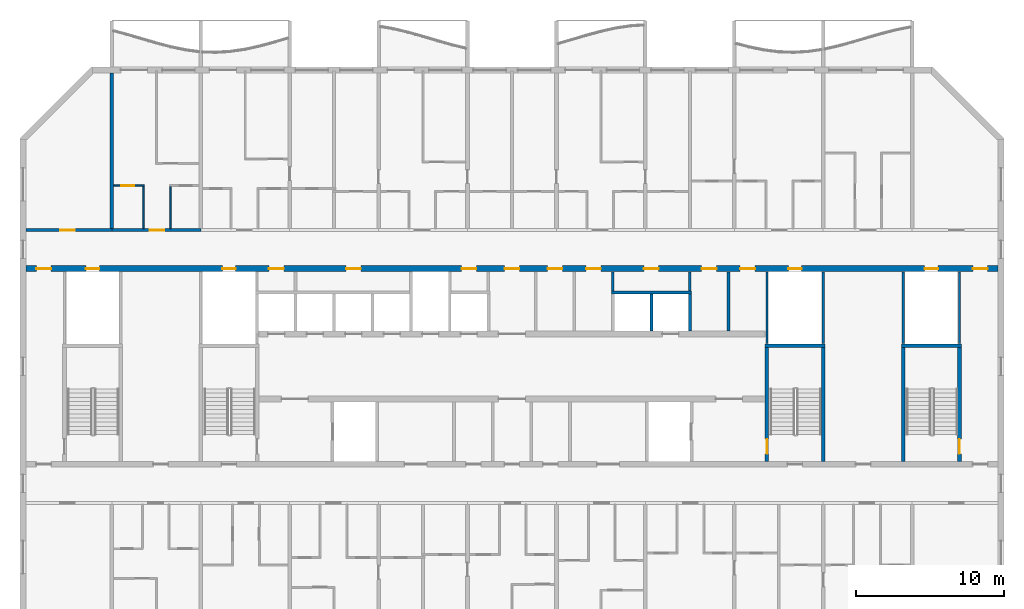
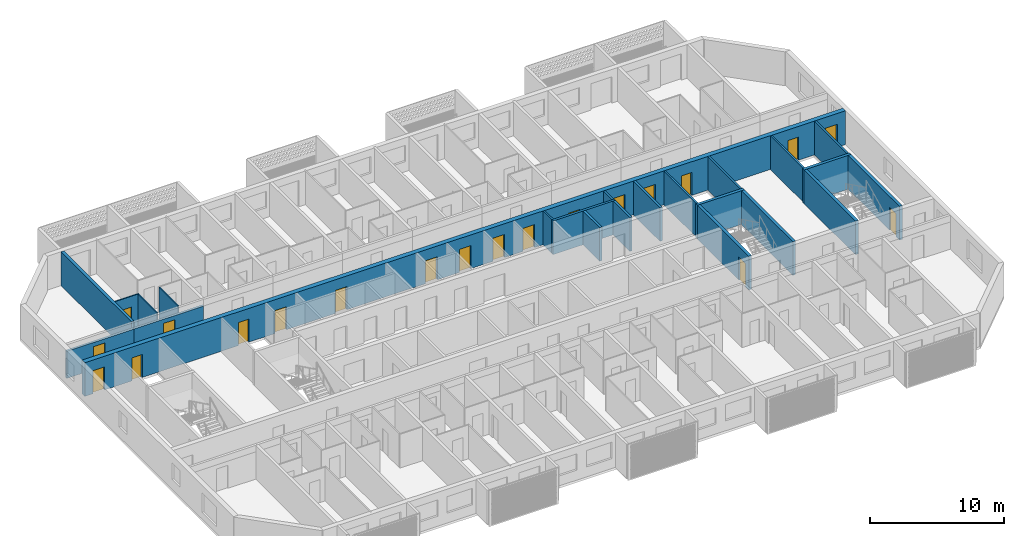
# One storey, part 7 of 27: 23 walls, 20 doors, 20 openings.
"""IFC4 building model written with IfcOpenShell, lengths in metres."""

from ifc_helpers import new_model, si_unit, direction, frame, frame_2d, origin, place, context, subcontext, project, spatial, rectangle, extrude, material, layer, layer_set, type_object, element, fill, save


model = new_model("IFC4")

# Units and contexts
model_context = context("Model", 3, precision=1e-05, world=origin(), true_north=direction((0.0, 1.0)))
body_context = subcontext(model_context, "Body", "Model", "MODEL_VIEW")
ifc_project = project(units=[si_unit("LENGTHUNIT", "METRE"), si_unit("AREAUNIT", "SQUARE_METRE"), si_unit("VOLUMEUNIT", "CUBIC_METRE"), si_unit("PLANEANGLEUNIT", "RADIAN"), si_unit("MASSUNIT", "GRAM", prefix="KILO")], contexts=[model_context])

# Site, building, storey
site_placement = place(None, origin())
site = spatial("IfcSite", under=ifc_project, at=site_placement, CompositionType="ELEMENT")
building_placement = place(site_placement, origin())
building = spatial("IfcBuilding", under=site, at=building_placement, Name="Poui Terraces", CompositionType="ELEMENT")
storey_placement = place(building_placement, frame((0.0, 0.0, 191.699951171875)))
storey = spatial("IfcBuildingStorey", under=building, at=storey_placement, Name="L53", CompositionType="ELEMENT", Elevation=191.699951171875)

# Wall, opening, door
ifc_material_1 = material(Name="Concrete 50 MPa", Category="concrete")
ifc_layer_1 = layer(ifc_material_1, 0.199951171875)
ifc_layer_set_1 = layer_set([ifc_layer_1], Name="Concrete 50 MPa")
wall_type_1 = type_object("IfcWallType", Name="CORRIDOR WALL 200 50MPa", PredefinedType="SHEAR", material=ifc_layer_set_1)
wall_1_placement = place(storey_placement, frame((18.199951171875, 30.39990234375, 0.0), z_axis=(0.0, 0.0, 1.0), x_axis=(1.0, 0.0, 0.0)))
wall_1 = element("IfcWall", 1, at=wall_1_placement, inside=storey, type_object=wall_type_1, Name="CORRIDOR WALL LINE E BAY 1", PredefinedType="SHEAR", context=body_context, shape_type="SweptSolid", body=[
    extrude(rectangle(XDim=5.800048828125, YDim=0.199951171875, at=frame_2d((2.89990234375, 0.0))), origin(), (0.0, 0.0, 1.0), 2.47998046875),
])
opening_1_placement = place(wall_1_placement, frame((2.300048828125, 0.0, 0.0)))
opening_1 = element("IfcOpeningElement", 2, at=opening_1_placement, cuts=wall_1, Name="Opening D100", PredefinedType="OPENING", context=body_context, shape_type="SweptSolid", body=[
    extrude(rectangle(XDim=1.0, YDim=2.10009765625, at=frame_2d((0.5, 1.050048828125))), frame((0.0, 0.10986328125, 0.0), z_axis=(0.0, -1.0, 0.0), x_axis=(1.0, 0.0, 0.0)), (0.0, 0.0, 1.0), 0.219970703125),
])
ifc_material_2 = material(Name="Solid core timber door", Category="wood")
door_type_1 = type_object("IfcDoorType", Name="ACCESSIBLE INTERNAL DOOR 1000 X 2100", OperationType="NOTDEFINED", PredefinedType="DOOR", material=ifc_material_2)
door_1_placement = place(opening_1_placement, origin())
door_1 = element("IfcDoor", 3, at=door_1_placement, inside=storey, type_object=door_type_1, Name="ACCESSIBLE INTERNAL DOOR 027", OperationType="SINGLE_SWING_LEFT", OverallHeight=2.10009765625, OverallWidth=1.0, PredefinedType="DOOR", context=body_context, shape_type="SweptSolid", body=[
    extrude(rectangle(XDim=1.0, YDim=2.10009765625, at=frame_2d((0.5, 1.050048828125))), frame((0.0, 0.02490234375, 0.0), z_axis=(0.0, -1.0, 0.0), x_axis=(1.0, 0.0, 0.0)), (0.0, 0.0, 1.0), 0.050048828125),
])
fill(opening_1, door_1)

wall_2_placement = place(storey_placement, frame((24.0, 30.39990234375, 0.0), z_axis=(0.0, 0.0, 1.0), x_axis=(1.0, 0.0, 0.0)))
wall_2 = element("IfcWall", 4, at=wall_2_placement, inside=storey, type_object=wall_type_1, Name="CORRIDOR WALL LINE E BAY 2", PredefinedType="SHEAR", context=body_context, shape_type="SweptSolid", body=[
    extrude(rectangle(XDim=6.0, YDim=0.199951171875, at=frame_2d((3.0, 0.0))), origin(), (0.0, 0.0, 1.0), 2.47998046875),
])
opening_2_placement = place(wall_2_placement, frame((2.550048828125, 0.0, 0.0)))
opening_2 = element("IfcOpeningElement", 5, at=opening_2_placement, cuts=wall_2, Name="Opening FD30S", PredefinedType="OPENING", context=body_context, shape_type="SweptSolid", body=[
    extrude(rectangle(XDim=1.0, YDim=2.10009765625, at=frame_2d((0.5, 1.050048828125))), frame((0.0, 0.10986328125, 0.0), z_axis=(0.0, -1.0, 0.0), x_axis=(1.0, 0.0, 0.0)), (0.0, 0.0, 1.0), 0.219970703125),
])
ifc_material_3 = material(Name="Steel fire door", Category="steel")
door_type_2 = type_object("IfcDoorType", Name="FLAT ENTRANCE DOOR 1000 X 2100", OperationType="NOTDEFINED", PredefinedType="DOOR", material=ifc_material_3)
door_2_placement = place(opening_2_placement, origin())
door_2 = element("IfcDoor", 6, at=door_2_placement, inside=storey, type_object=door_type_2, Name="FLAT ENTRANCE DOOR 029", OperationType="SINGLE_SWING_RIGHT", OverallHeight=2.10009765625, OverallWidth=1.0, PredefinedType="DOOR", context=body_context, shape_type="SweptSolid", body=[
    extrude(rectangle(XDim=1.0, YDim=2.10009765625, at=frame_2d((0.5, 1.050048828125))), frame((0.0, 0.02490234375, 0.0), z_axis=(0.0, -1.0, 0.0), x_axis=(1.0, 0.0, 0.0)), (0.0, 0.0, 1.0), 0.050048828125),
])
fill(opening_2, door_2)

# Wall
ifc_layer_2 = layer(ifc_material_1, 0.25)
ifc_layer_set_2 = layer_set([ifc_layer_2], Name="Concrete 50 MPa")
wall_type_2 = type_object("IfcWallType", Name="CROSS WALL 250 50MPa", PredefinedType="SHEAR", material=ifc_layer_set_2)
wall_3_placement = place(storey_placement, frame((24.0, 30.5, 0.0), z_axis=(0.0, 0.0, 1.0), x_axis=(0.0, 1.0, 0.0)))
element("IfcWall", 7, at=wall_3_placement, inside=storey, type_object=wall_type_2, Name="CROSS WALL LINE 5 NORTH", PredefinedType="SHEAR", context=body_context, shape_type="SweptSolid", body=[
    extrude(rectangle(XDim=10.5, YDim=0.25, at=frame_2d((5.25, 0.0))), origin(), (0.0, 0.0, 1.0), 3.080078125),
])

# Wall, opening, door
ifc_material_4 = material(Name="Plasterboard partition")
ifc_layer_3 = layer(ifc_material_4, 0.10009765625)
ifc_layer_set_3 = layer_set([ifc_layer_3], Name="Plasterboard partition")
wall_type_3 = type_object("IfcWallType", Name="FLAT PARTITION 100", PredefinedType="PARTITIONING", material=ifc_layer_set_3)
wall_4_placement = place(storey_placement, frame((24.135009765625, 33.39990234375, 0.0), z_axis=(0.0, 0.0, 1.0), x_axis=(1.0, 0.0, 0.0)))
wall_4 = element("IfcWall", 8, at=wall_4_placement, inside=storey, type_object=wall_type_3, Name="FLAT PARTITION 100", PredefinedType="PARTITIONING", context=body_context, shape_type="SweptSolid", body=[
    extrude(rectangle(XDim=2.06494140625, YDim=0.10009765625, at=frame_2d((1.032470703125, 0.0))), origin(), (0.0, 0.0, 1.0), 3.080078125),
])
opening_3_placement = place(wall_4_placement, frame((0.489990234375, 0.0, 0.0)))
opening_3 = element("IfcOpeningElement", 9, at=opening_3_placement, cuts=wall_4, Name="Opening D90", PredefinedType="OPENING", context=body_context, shape_type="SweptSolid", body=[
    extrude(rectangle(XDim=0.89990234375, YDim=2.10009765625, at=frame_2d((0.449951171875, 1.050048828125))), frame((0.0, 0.06005859375, 0.0), z_axis=(0.0, -1.0, 0.0), x_axis=(1.0, 0.0, 0.0)), (0.0, 0.0, 1.0), 0.1201171875),
])
door_type_3 = type_object("IfcDoorType", Name="INTERNAL DOOR 900 X 2100", OperationType="NOTDEFINED", PredefinedType="DOOR", material=ifc_material_2)
door_3_placement = place(opening_3_placement, frame((0.89990234375, 0.0, 0.0), z_axis=(0.0, 0.0, 1.0), x_axis=(-1.0, 0.0, 0.0)))
door_3 = element("IfcDoor", 10, at=door_3_placement, inside=storey, type_object=door_type_3, Name="INTERNAL DOOR 028", OperationType="SINGLE_SWING_LEFT", OverallHeight=2.10009765625, OverallWidth=0.89990234375, PredefinedType="DOOR", context=body_context, shape_type="SweptSolid", body=[
    extrude(rectangle(XDim=0.89990234375, YDim=2.10009765625, at=frame_2d((0.449951171875, 1.050048828125))), frame((0.0, 0.02490234375, 0.0), z_axis=(0.0, -1.0, 0.0), x_axis=(1.0, 0.0, 0.0)), (0.0, 0.0, 1.0), 0.050048828125),
])
fill(opening_3, door_3)

# Walls
for number, where, z_axis, x_axis, name in (
    (11, (26.14990234375, 30.510009765625, 0.0), (0.0, 0.0, 1.0), (0.0, 1.0, 0.0), "FLAT PARTITION 100"),
    (12, (27.949951171875, 30.510009765625, 0.0), (0.0, 0.0, 1.0), (0.0, 1.0, 0.0), "FLAT PARTITION 100"),
):
    element("IfcWall", number, at=place(storey_placement, frame(where, z_axis=z_axis, x_axis=x_axis)), inside=storey, type_object=wall_type_3, Name=name, PredefinedType="PARTITIONING", context=body_context, shape_type="SweptSolid", body=[
        extrude(rectangle(XDim=2.840087890625, YDim=0.10009765625, at=frame_2d((1.419921875, 0.0))), origin(), (0.0, 0.0, 1.0), 3.080078125),
    ])
ifc_layer_4 = layer(ifc_material_4, 0.14990234375)
ifc_layer_set_4 = layer_set([ifc_layer_4], Name="Plasterboard partition")
wall_type_4 = type_object("IfcWallType", Name="PARTITION WALL 150", PredefinedType="PARTITIONING", material=ifc_layer_set_4)
for number, where, z_axis, x_axis, name in (
    (13, (57.800048828125, 26.300048828125, 0.0), (0.0, 0.0, 1.0), (0.0, 1.0, 0.0), "PARTITION WALL 150"),
    (14, (63.0, 26.300048828125, 0.0), (0.0, 0.0, 1.0), (0.0, 1.0, 0.0), "PARTITION WALL 150"),
):
    element("IfcWall", number, at=place(storey_placement, frame(where, z_axis=z_axis, x_axis=x_axis)), inside=storey, type_object=wall_type_4, Name=name, PredefinedType="PARTITIONING", context=body_context, shape_type="SweptSolid", body=[
        extrude(rectangle(XDim=1.2900390625, YDim=0.14990234375, at=frame_2d((0.64501953125, 0.0))), origin(), (0.0, 0.0, 1.0), 3.080078125),
    ])
ifc_material_5 = material(Name="Fire-rated masonry wall", Category="masonry")
ifc_layer_5 = layer(ifc_material_5, 0.199951171875)
ifc_layer_set_5 = layer_set([ifc_layer_5], Name="Fire-rated masonry wall")
wall_type_5 = type_object("IfcWallType", Name="PLANT ROOM WALL 200", PredefinedType="PARTITIONING", material=ifc_layer_set_5)
wall_5_placement = place(storey_placement, frame((65.60009765625, 23.610107421875, 0.0), z_axis=(0.0, 0.0, 1.0), x_axis=(0.0, 1.0, 0.0)))
element("IfcWall", 15, at=wall_5_placement, inside=storey, type_object=wall_type_5, Name="PLANT ROOM WALL 200", PredefinedType="PARTITIONING", context=body_context, shape_type="SweptSolid", body=[
    extrude(rectangle(XDim=3.97998046875, YDim=0.199951171875, at=frame_2d((1.989990234375, 0.0))), origin(), (0.0, 0.0, 1.0), 3.080078125),
])
ifc_material_6 = material(Name="Fire-rated plasterboard riser wall")
ifc_layer_6 = layer(ifc_material_6, 0.14990234375)
ifc_layer_set_6 = layer_set([ifc_layer_6], Name="Fire-rated plasterboard riser wall")
wall_type_6 = type_object("IfcWallType", Name="RISER WALL 150", PredefinedType="PARTITIONING", material=ifc_layer_set_6)
for number, where, z_axis, x_axis, name in (
    (16, (68.199951171875, 22.735107421875, 0.0), (0.0, 0.0, 1.0), (0.0, 1.0, 0.0), "RISER WALL 150"),
    (17, (72.0, 22.735107421875, 0.0), (0.0, 0.0, 1.0), (0.0, 1.0, 0.0), "RISER WALL 150"),
    (18, (77.39990234375, 22.735107421875, 0.0), (0.0, 0.0, 1.0), (0.0, 1.0, 0.0), "RISER WALL 150"),
    (19, (81.199951171875, 22.735107421875, 0.0), (0.0, 0.0, 1.0), (0.0, 1.0, 0.0), "RISER WALL 150"),
):
    element("IfcWall", number, at=place(storey_placement, frame(where, z_axis=z_axis, x_axis=x_axis)), inside=storey, type_object=wall_type_6, Name=name, PredefinedType="PARTITIONING", context=body_context, shape_type="SweptSolid", body=[
        extrude(rectangle(XDim=4.85498046875, YDim=0.14990234375, at=frame_2d((2.427490234375, 0.0))), origin(), (0.0, 0.0, 1.0), 3.080078125),
    ])
ifc_material_7 = material(Name="Fire-rated masonry shaft wall", Category="masonry")
ifc_layer_7 = layer(ifc_material_7, 0.199951171875)
ifc_layer_set_7 = layer_set([ifc_layer_7], Name="Fire-rated masonry shaft wall")
wall_type_7 = type_object("IfcWallType", Name="SHAFT WALL 200", PredefinedType="PARTITIONING", material=ifc_layer_set_7)
wall_6_placement = place(storey_placement, frame((57.699951171875, 26.199951171875, 0.0), z_axis=(0.0, 0.0, 1.0), x_axis=(1.0, 0.0, 0.0)))
element("IfcWall", 20, at=wall_6_placement, inside=storey, type_object=wall_type_7, Name="SHAFT WALL 200", PredefinedType="PARTITIONING", context=body_context, shape_type="SweptSolid", body=[
    extrude(rectangle(XDim=5.400146484375, YDim=0.199951171875, at=frame_2d((2.7001953125, 0.0))), origin(), (0.0, 0.0, 1.0), 3.080078125),
])
for number, where, z_axis, x_axis, name in (
    (21, (60.39990234375, 23.610107421875, 0.0), (0.0, 0.0, 1.0), (0.0, 1.0, 0.0), "SHAFT WALL 200"),
    (22, (63.0, 23.610107421875, 0.0), (0.0, 0.0, 1.0), (0.0, 1.0, 0.0), "SHAFT WALL 200"),
):
    element("IfcWall", number, at=place(storey_placement, frame(where, z_axis=z_axis, x_axis=x_axis)), inside=storey, type_object=wall_type_7, Name=name, PredefinedType="PARTITIONING", context=body_context, shape_type="SweptSolid", body=[
        extrude(rectangle(XDim=2.489990234375, YDim=0.199951171875, at=frame_2d((1.2451171875, 0.0))), origin(), (0.0, 0.0, 1.0), 3.080078125),
    ])

# Wall, openings, doors
ifc_layer_8 = layer(ifc_material_1, 0.39990234375)
ifc_layer_set_8 = layer_set([ifc_layer_8], Name="Concrete 50 MPa")
wall_type_8 = type_object("IfcWallType", Name="SPINE WALL 400 50 MPA", PredefinedType="SOLIDWALL", material=ifc_layer_set_8)
wall_7_placement = place(storey_placement, frame((18.199951171875, 27.800048828125, 0.0), z_axis=(0.0, 0.0, 1.0), x_axis=(1.0, 0.0, 0.0)))
wall_7 = element("IfcWall", 23, at=wall_7_placement, inside=storey, type_object=wall_type_8, Name="SPINE WALL", PredefinedType="SOLIDWALL", context=body_context, shape_type="SweptSolid", body=[
    extrude(rectangle(XDim=65.60009765625, YDim=0.39990234375, at=frame_2d((32.800048828125, 0.0))), origin(), (0.0, 0.0, 1.0), 3.080078125),
])
opening_4_placement = place(wall_7_placement, frame((0.699951171875, 0.0, 0.0)))
opening_4 = element("IfcOpeningElement", 24, at=opening_4_placement, cuts=wall_7, Name="Opening FDL", PredefinedType="OPENING", context=body_context, shape_type="SweptSolid", body=[
    extrude(rectangle(XDim=1.0, YDim=2.10009765625, at=frame_2d((0.5, 1.050048828125))), frame((0.0, 0.2099609375, 0.0), z_axis=(0.0, -1.0, 0.0), x_axis=(1.0, 0.0, 0.0)), (0.0, 0.0, 1.0), 0.419921875),
])
opening_5_placement = place(wall_7_placement, frame((4.050048828125, 0.0, 0.0)))
opening_5 = element("IfcOpeningElement", 25, at=opening_5_placement, cuts=wall_7, Name="Opening FDR", PredefinedType="OPENING", context=body_context, shape_type="SweptSolid", body=[
    extrude(rectangle(XDim=0.89990234375, YDim=2.10009765625, at=frame_2d((0.449951171875, 1.050048828125))), frame((0.0, 0.2099609375, 0.0), z_axis=(0.0, -1.0, 0.0), x_axis=(1.0, 0.0, 0.0)), (0.0, 0.0, 1.0), 0.419921875),
])
opening_6_placement = place(wall_7_placement, frame((13.25, 0.0, 0.0)))
opening_6 = element("IfcOpeningElement", 26, at=opening_6_placement, cuts=wall_7, Name="Opening FDR", PredefinedType="OPENING", context=body_context, shape_type="SweptSolid", body=[
    extrude(rectangle(XDim=0.89990234375, YDim=2.10009765625, at=frame_2d((0.449951171875, 1.050048828125))), frame((0.0, 0.2099609375, 0.0), z_axis=(0.0, -1.0, 0.0), x_axis=(1.0, 0.0, 0.0)), (0.0, 0.0, 1.0), 0.419921875),
])
opening_7_placement = place(wall_7_placement, frame((16.39990234375, 0.0, 0.0)))
opening_7 = element("IfcOpeningElement", 27, at=opening_7_placement, cuts=wall_7, Name="Opening FD60", PredefinedType="OPENING", context=body_context, shape_type="SweptSolid", body=[
    extrude(rectangle(XDim=1.0, YDim=2.10009765625, at=frame_2d((0.5, 1.050048828125))), frame((0.0, 0.2099609375, 0.0), z_axis=(0.0, -1.0, 0.0), x_axis=(1.0, 0.0, 0.0)), (0.0, 0.0, 1.0), 0.419921875),
])
opening_8_placement = place(wall_7_placement, frame((21.60009765625, 0.0, 0.0)))
opening_8 = element("IfcOpeningElement", 28, at=opening_8_placement, cuts=wall_7, Name="Opening FD60", PredefinedType="OPENING", context=body_context, shape_type="SweptSolid", body=[
    extrude(rectangle(XDim=1.0, YDim=2.10009765625, at=frame_2d((0.5, 1.050048828125))), frame((0.0, 0.2099609375, 0.0), z_axis=(0.0, -1.0, 0.0), x_axis=(1.0, 0.0, 0.0)), (0.0, 0.0, 1.0), 0.419921875),
])
opening_9_placement = place(wall_7_placement, frame((29.39990234375, 0.0, 0.0)))
opening_9 = element("IfcOpeningElement", 29, at=opening_9_placement, cuts=wall_7, Name="Opening FD60", PredefinedType="OPENING", context=body_context, shape_type="SweptSolid", body=[
    extrude(rectangle(XDim=1.0, YDim=2.10009765625, at=frame_2d((0.5, 1.050048828125))), frame((0.0, 0.2099609375, 0.0), z_axis=(0.0, -1.0, 0.0), x_axis=(1.0, 0.0, 0.0)), (0.0, 0.0, 1.0), 0.419921875),
])
opening_10_placement = place(wall_7_placement, frame((32.300048828125, 0.0, 0.0)))
opening_10 = element("IfcOpeningElement", 30, at=opening_10_placement, cuts=wall_7, Name="Opening FDL", PredefinedType="OPENING", context=body_context, shape_type="SweptSolid", body=[
    extrude(rectangle(XDim=1.0, YDim=2.10009765625, at=frame_2d((0.5, 1.050048828125))), frame((0.0, 0.2099609375, 0.0), z_axis=(0.0, -1.0, 0.0), x_axis=(1.0, 0.0, 0.0)), (0.0, 0.0, 1.0), 0.419921875),
])
opening_11_placement = place(wall_7_placement, frame((35.199951171875, 0.0, 0.0)))
opening_11 = element("IfcOpeningElement", 31, at=opening_11_placement, cuts=wall_7, Name="Opening FD60", PredefinedType="OPENING", context=body_context, shape_type="SweptSolid", body=[
    extrude(rectangle(XDim=1.0, YDim=2.10009765625, at=frame_2d((0.5, 1.050048828125))), frame((0.0, 0.2099609375, 0.0), z_axis=(0.0, -1.0, 0.0), x_axis=(1.0, 0.0, 0.0)), (0.0, 0.0, 1.0), 0.419921875),
])
opening_12_placement = place(wall_7_placement, frame((37.800048828125, 0.0, 0.0)))
opening_12 = element("IfcOpeningElement", 32, at=opening_12_placement, cuts=wall_7, Name="Opening FD60", PredefinedType="OPENING", context=body_context, shape_type="SweptSolid", body=[
    extrude(rectangle(XDim=1.0, YDim=2.10009765625, at=frame_2d((0.5, 1.050048828125))), frame((0.0, 0.2099609375, 0.0), z_axis=(0.0, -1.0, 0.0), x_axis=(1.0, 0.0, 0.0)), (0.0, 0.0, 1.0), 0.419921875),
])
opening_13_placement = place(wall_7_placement, frame((41.699951171875, 0.0, 0.0)))
opening_13 = element("IfcOpeningElement", 33, at=opening_13_placement, cuts=wall_7, Name="Opening FD60", PredefinedType="OPENING", context=body_context, shape_type="SweptSolid", body=[
    extrude(rectangle(XDim=1.0, YDim=2.10009765625, at=frame_2d((0.5, 1.050048828125))), frame((0.0, 0.2099609375, 0.0), z_axis=(0.0, -1.0, 0.0), x_axis=(1.0, 0.0, 0.0)), (0.0, 0.0, 1.0), 0.419921875),
])
opening_14_placement = place(wall_7_placement, frame((45.60009765625, 0.0, 0.0)))
opening_14 = element("IfcOpeningElement", 34, at=opening_14_placement, cuts=wall_7, Name="Opening FD60", PredefinedType="OPENING", context=body_context, shape_type="SweptSolid", body=[
    extrude(rectangle(XDim=1.0, YDim=2.10009765625, at=frame_2d((0.5, 1.050048828125))), frame((0.0, 0.2099609375, 0.0), z_axis=(0.0, -1.0, 0.0), x_axis=(1.0, 0.0, 0.0)), (0.0, 0.0, 1.0), 0.419921875),
])
opening_15_placement = place(wall_7_placement, frame((48.199951171875, 0.0, 0.0)))
opening_15 = element("IfcOpeningElement", 35, at=opening_15_placement, cuts=wall_7, Name="Opening FD60", PredefinedType="OPENING", context=body_context, shape_type="SweptSolid", body=[
    extrude(rectangle(XDim=1.0, YDim=2.10009765625, at=frame_2d((0.5, 1.050048828125))), frame((0.0, 0.2099609375, 0.0), z_axis=(0.0, -1.0, 0.0), x_axis=(1.0, 0.0, 0.0)), (0.0, 0.0, 1.0), 0.419921875),
])
opening_16_placement = place(wall_7_placement, frame((51.449951171875, 0.0, 0.0)))
opening_16 = element("IfcOpeningElement", 36, at=opening_16_placement, cuts=wall_7, Name="Opening FDR", PredefinedType="OPENING", context=body_context, shape_type="SweptSolid", body=[
    extrude(rectangle(XDim=0.89990234375, YDim=2.10009765625, at=frame_2d((0.449951171875, 1.050048828125))), frame((0.0, 0.2099609375, 0.0), z_axis=(0.0, -1.0, 0.0), x_axis=(1.0, 0.0, 0.0)), (0.0, 0.0, 1.0), 0.419921875),
])
opening_17_placement = place(wall_7_placement, frame((60.64990234375, 0.0, 0.0)))
opening_17 = element("IfcOpeningElement", 37, at=opening_17_placement, cuts=wall_7, Name="Opening FDR", PredefinedType="OPENING", context=body_context, shape_type="SweptSolid", body=[
    extrude(rectangle(XDim=0.89990234375, YDim=2.10009765625, at=frame_2d((0.449951171875, 1.050048828125))), frame((0.0, 0.2099609375, 0.0), z_axis=(0.0, -1.0, 0.0), x_axis=(1.0, 0.0, 0.0)), (0.0, 0.0, 1.0), 0.419921875),
])
opening_18_placement = place(wall_7_placement, frame((63.89990234375, 0.0, 0.0)))
opening_18 = element("IfcOpeningElement", 38, at=opening_18_placement, cuts=wall_7, Name="Opening FDL", PredefinedType="OPENING", context=body_context, shape_type="SweptSolid", body=[
    extrude(rectangle(XDim=1.0, YDim=2.10009765625, at=frame_2d((0.5, 1.050048828125))), frame((0.0, 0.2099609375, 0.0), z_axis=(0.0, -1.0, 0.0), x_axis=(1.0, 0.0, 0.0)), (0.0, 0.0, 1.0), 0.419921875),
])
door_type_4 = type_object("IfcDoorType", Name="LOBBY FIRE DOOR 1000 X 2100", OperationType="NOTDEFINED", PredefinedType="DOOR", material=ifc_material_3)
door_4_placement = place(opening_4_placement, origin())
door_4 = element("IfcDoor", 39, at=door_4_placement, inside=storey, type_object=door_type_4, Name="LOBBY FIRE DOOR 001", OperationType="SINGLE_SWING_LEFT", OverallHeight=2.10009765625, OverallWidth=1.0, PredefinedType="DOOR", context=body_context, shape_type="SweptSolid", body=[
    extrude(rectangle(XDim=1.0, YDim=2.10009765625, at=frame_2d((0.5, 1.050048828125))), frame((0.0, 0.02490234375, 0.0), z_axis=(0.0, -1.0, 0.0), x_axis=(1.0, 0.0, 0.0)), (0.0, 0.0, 1.0), 0.050048828125),
])
fill(opening_4, door_4)
door_5_placement = place(opening_10_placement, origin())
door_5 = element("IfcDoor", 40, at=door_5_placement, inside=storey, type_object=door_type_4, Name="LOBBY FIRE DOOR 007", OperationType="SINGLE_SWING_RIGHT", OverallHeight=2.10009765625, OverallWidth=1.0, PredefinedType="DOOR", context=body_context, shape_type="SweptSolid", body=[
    extrude(rectangle(XDim=1.0, YDim=2.10009765625, at=frame_2d((0.5, 1.050048828125))), frame((0.0, 0.02490234375, 0.0), z_axis=(0.0, -1.0, 0.0), x_axis=(1.0, 0.0, 0.0)), (0.0, 0.0, 1.0), 0.050048828125),
])
fill(opening_10, door_5)
door_6_placement = place(opening_18_placement, origin())
door_6 = element("IfcDoor", 41, at=door_6_placement, inside=storey, type_object=door_type_4, Name="LOBBY FIRE DOOR 015", OperationType="SINGLE_SWING_RIGHT", OverallHeight=2.10009765625, OverallWidth=1.0, PredefinedType="DOOR", context=body_context, shape_type="SweptSolid", body=[
    extrude(rectangle(XDim=1.0, YDim=2.10009765625, at=frame_2d((0.5, 1.050048828125))), frame((0.0, 0.02490234375, 0.0), z_axis=(0.0, -1.0, 0.0), x_axis=(1.0, 0.0, 0.0)), (0.0, 0.0, 1.0), 0.050048828125),
])
fill(opening_18, door_6)
door_type_5 = type_object("IfcDoorType", Name="RISER CUPBOARD DOOR 900 X 2100", OperationType="NOTDEFINED", PredefinedType="DOOR", material=ifc_material_3)
door_7_placement = place(opening_5_placement, origin())
door_7 = element("IfcDoor", 42, at=door_7_placement, inside=storey, type_object=door_type_5, Name="RISER CUPBOARD DOOR 002", OperationType="SINGLE_SWING_LEFT", OverallHeight=2.10009765625, OverallWidth=0.89990234375, PredefinedType="DOOR", context=body_context, shape_type="SweptSolid", body=[
    extrude(rectangle(XDim=0.89990234375, YDim=2.10009765625, at=frame_2d((0.449951171875, 1.050048828125))), frame((0.0, 0.02490234375, 0.0), z_axis=(0.0, -1.0, 0.0), x_axis=(1.0, 0.0, 0.0)), (0.0, 0.0, 1.0), 0.050048828125),
])
fill(opening_5, door_7)
door_8_placement = place(opening_6_placement, origin())
door_8 = element("IfcDoor", 43, at=door_8_placement, inside=storey, type_object=door_type_5, Name="RISER CUPBOARD DOOR 003", OperationType="SINGLE_SWING_LEFT", OverallHeight=2.10009765625, OverallWidth=0.89990234375, PredefinedType="DOOR", context=body_context, shape_type="SweptSolid", body=[
    extrude(rectangle(XDim=0.89990234375, YDim=2.10009765625, at=frame_2d((0.449951171875, 1.050048828125))), frame((0.0, 0.02490234375, 0.0), z_axis=(0.0, -1.0, 0.0), x_axis=(1.0, 0.0, 0.0)), (0.0, 0.0, 1.0), 0.050048828125),
])
fill(opening_6, door_8)
door_9_placement = place(opening_16_placement, origin())
door_9 = element("IfcDoor", 44, at=door_9_placement, inside=storey, type_object=door_type_5, Name="RISER CUPBOARD DOOR 013", OperationType="SINGLE_SWING_RIGHT", OverallHeight=2.10009765625, OverallWidth=0.89990234375, PredefinedType="DOOR", context=body_context, shape_type="SweptSolid", body=[
    extrude(rectangle(XDim=0.89990234375, YDim=2.10009765625, at=frame_2d((0.449951171875, 1.050048828125))), frame((0.0, 0.02490234375, 0.0), z_axis=(0.0, -1.0, 0.0), x_axis=(1.0, 0.0, 0.0)), (0.0, 0.0, 1.0), 0.050048828125),
])
fill(opening_16, door_9)
door_10_placement = place(opening_17_placement, origin())
door_10 = element("IfcDoor", 45, at=door_10_placement, inside=storey, type_object=door_type_5, Name="RISER CUPBOARD DOOR 014", OperationType="SINGLE_SWING_RIGHT", OverallHeight=2.10009765625, OverallWidth=0.89990234375, PredefinedType="DOOR", context=body_context, shape_type="SweptSolid", body=[
    extrude(rectangle(XDim=0.89990234375, YDim=2.10009765625, at=frame_2d((0.449951171875, 1.050048828125))), frame((0.0, 0.02490234375, 0.0), z_axis=(0.0, -1.0, 0.0), x_axis=(1.0, 0.0, 0.0)), (0.0, 0.0, 1.0), 0.050048828125),
])
fill(opening_17, door_10)
door_type_6 = type_object("IfcDoorType", Name="SERVICE ROOM FIRE DOOR 1000 X 2100", OperationType="NOTDEFINED", PredefinedType="DOOR", material=ifc_material_3)
door_11_placement = place(opening_7_placement, origin())
door_11 = element("IfcDoor", 46, at=door_11_placement, inside=storey, type_object=door_type_6, Name="SERVICE ROOM FIRE DOOR 004", OperationType="SINGLE_SWING_LEFT", OverallHeight=2.10009765625, OverallWidth=1.0, PredefinedType="DOOR", context=body_context, shape_type="SweptSolid", body=[
    extrude(rectangle(XDim=1.0, YDim=2.10009765625, at=frame_2d((0.5, 1.050048828125))), frame((0.0, 0.02490234375, 0.0), z_axis=(0.0, -1.0, 0.0), x_axis=(1.0, 0.0, 0.0)), (0.0, 0.0, 1.0), 0.050048828125),
])
fill(opening_7, door_11)
door_12_placement = place(opening_8_placement, origin())
door_12 = element("IfcDoor", 47, at=door_12_placement, inside=storey, type_object=door_type_6, Name="SERVICE ROOM FIRE DOOR 005", OperationType="SINGLE_SWING_RIGHT", OverallHeight=2.10009765625, OverallWidth=1.0, PredefinedType="DOOR", context=body_context, shape_type="SweptSolid", body=[
    extrude(rectangle(XDim=1.0, YDim=2.10009765625, at=frame_2d((0.5, 1.050048828125))), frame((0.0, 0.02490234375, 0.0), z_axis=(0.0, -1.0, 0.0), x_axis=(1.0, 0.0, 0.0)), (0.0, 0.0, 1.0), 0.050048828125),
])
fill(opening_8, door_12)
door_13_placement = place(opening_9_placement, origin())
door_13 = element("IfcDoor", 48, at=door_13_placement, inside=storey, type_object=door_type_6, Name="SERVICE ROOM FIRE DOOR 006", OperationType="SINGLE_SWING_LEFT", OverallHeight=2.10009765625, OverallWidth=1.0, PredefinedType="DOOR", context=body_context, shape_type="SweptSolid", body=[
    extrude(rectangle(XDim=1.0, YDim=2.10009765625, at=frame_2d((0.5, 1.050048828125))), frame((0.0, 0.02490234375, 0.0), z_axis=(0.0, -1.0, 0.0), x_axis=(1.0, 0.0, 0.0)), (0.0, 0.0, 1.0), 0.050048828125),
])
fill(opening_9, door_13)
door_14_placement = place(opening_11_placement, origin())
door_14 = element("IfcDoor", 49, at=door_14_placement, inside=storey, type_object=door_type_6, Name="SERVICE ROOM FIRE DOOR 008", OperationType="SINGLE_SWING_RIGHT", OverallHeight=2.10009765625, OverallWidth=1.0, PredefinedType="DOOR", context=body_context, shape_type="SweptSolid", body=[
    extrude(rectangle(XDim=1.0, YDim=2.10009765625, at=frame_2d((0.5, 1.050048828125))), frame((0.0, 0.02490234375, 0.0), z_axis=(0.0, -1.0, 0.0), x_axis=(1.0, 0.0, 0.0)), (0.0, 0.0, 1.0), 0.050048828125),
])
fill(opening_11, door_14)
door_15_placement = place(opening_12_placement, origin())
door_15 = element("IfcDoor", 50, at=door_15_placement, inside=storey, type_object=door_type_6, Name="SERVICE ROOM FIRE DOOR 009", OperationType="SINGLE_SWING_LEFT", OverallHeight=2.10009765625, OverallWidth=1.0, PredefinedType="DOOR", context=body_context, shape_type="SweptSolid", body=[
    extrude(rectangle(XDim=1.0, YDim=2.10009765625, at=frame_2d((0.5, 1.050048828125))), frame((0.0, 0.02490234375, 0.0), z_axis=(0.0, -1.0, 0.0), x_axis=(1.0, 0.0, 0.0)), (0.0, 0.0, 1.0), 0.050048828125),
])
fill(opening_12, door_15)
door_16_placement = place(opening_13_placement, origin())
door_16 = element("IfcDoor", 51, at=door_16_placement, inside=storey, type_object=door_type_6, Name="SERVICE ROOM FIRE DOOR 010", OperationType="SINGLE_SWING_RIGHT", OverallHeight=2.10009765625, OverallWidth=1.0, PredefinedType="DOOR", context=body_context, shape_type="SweptSolid", body=[
    extrude(rectangle(XDim=1.0, YDim=2.10009765625, at=frame_2d((0.5, 1.050048828125))), frame((0.0, 0.02490234375, 0.0), z_axis=(0.0, -1.0, 0.0), x_axis=(1.0, 0.0, 0.0)), (0.0, 0.0, 1.0), 0.050048828125),
])
fill(opening_13, door_16)
door_17_placement = place(opening_14_placement, origin())
door_17 = element("IfcDoor", 52, at=door_17_placement, inside=storey, type_object=door_type_6, Name="SERVICE ROOM FIRE DOOR 011", OperationType="SINGLE_SWING_LEFT", OverallHeight=2.10009765625, OverallWidth=1.0, PredefinedType="DOOR", context=body_context, shape_type="SweptSolid", body=[
    extrude(rectangle(XDim=1.0, YDim=2.10009765625, at=frame_2d((0.5, 1.050048828125))), frame((0.0, 0.02490234375, 0.0), z_axis=(0.0, -1.0, 0.0), x_axis=(1.0, 0.0, 0.0)), (0.0, 0.0, 1.0), 0.050048828125),
])
fill(opening_14, door_17)
door_18_placement = place(opening_15_placement, origin())
door_18 = element("IfcDoor", 53, at=door_18_placement, inside=storey, type_object=door_type_6, Name="SERVICE ROOM FIRE DOOR 012", OperationType="SINGLE_SWING_RIGHT", OverallHeight=2.10009765625, OverallWidth=1.0, PredefinedType="DOOR", context=body_context, shape_type="SweptSolid", body=[
    extrude(rectangle(XDim=1.0, YDim=2.10009765625, at=frame_2d((0.5, 1.050048828125))), frame((0.0, 0.02490234375, 0.0), z_axis=(0.0, -1.0, 0.0), x_axis=(1.0, 0.0, 0.0)), (0.0, 0.0, 1.0), 0.050048828125),
])
fill(opening_15, door_18)

# Wall, opening, door
ifc_layer_9 = layer(ifc_material_1, 0.25)
ifc_layer_set_9 = layer_set([ifc_layer_9], Name="Concrete 50 MPa")
wall_type_9 = type_object("IfcWallType", Name="STAIR CORE WALL 250 50 MPA", PredefinedType="SOLIDWALL", material=ifc_layer_set_9)
wall_8_placement = place(storey_placement, frame((68.199951171875, 14.800048828125, 0.0), z_axis=(0.0, 0.0, 1.0), x_axis=(0.0, 1.0, 0.0)))
wall_8 = element("IfcWall", 54, at=wall_8_placement, inside=storey, type_object=wall_type_9, Name="STAIR CORE WALL", PredefinedType="SOLIDWALL", context=body_context, shape_type="SweptSolid", body=[
    extrude(rectangle(XDim=7.675048828125, YDim=0.25, at=frame_2d((3.83740234375, 0.0))), origin(), (0.0, 0.0, 1.0), 3.080078125),
])
opening_19_placement = place(wall_8_placement, frame((0.5, 0.0, 0.0)))
opening_19 = element("IfcOpeningElement", 55, at=opening_19_placement, cuts=wall_8, Name="Opening FD60S", PredefinedType="OPENING", context=body_context, shape_type="SweptSolid", body=[
    extrude(rectangle(XDim=1.0, YDim=2.10009765625, at=frame_2d((0.5, 1.050048828125))), frame((0.0, 0.135009765625, 0.0), z_axis=(0.0, -1.0, 0.0), x_axis=(1.0, 0.0, 0.0)), (0.0, 0.0, 1.0), 0.27001953125),
])
door_type_7 = type_object("IfcDoorType", Name="STAIR DOOR 1000 X 2100", OperationType="NOTDEFINED", PredefinedType="DOOR", material=ifc_material_3)
door_19_placement = place(opening_19_placement, frame((1.0, 0.0, 0.0), z_axis=(0.0, 0.0, 1.0), x_axis=(-1.0, 0.0, 0.0)))
door_19 = element("IfcDoor", 56, at=door_19_placement, inside=storey, type_object=door_type_7, Name="STAIR DOOR 100", OperationType="SINGLE_SWING_LEFT", OverallHeight=2.10009765625, OverallWidth=1.0, PredefinedType="DOOR", context=body_context, shape_type="SweptSolid", body=[
    extrude(rectangle(XDim=1.0, YDim=2.10009765625, at=frame_2d((0.5, 1.050048828125))), frame((0.0, 0.02490234375, 0.0), z_axis=(0.0, -1.0, 0.0), x_axis=(1.0, 0.0, 0.0)), (0.0, 0.0, 1.0), 0.050048828125),
])
fill(opening_19, door_19)

# Walls
wall_9_placement = place(storey_placement, frame((72.0, 14.800048828125, 0.0), z_axis=(0.0, 0.0, 1.0), x_axis=(0.0, 1.0, 0.0)))
element("IfcWall", 57, at=wall_9_placement, inside=storey, type_object=wall_type_9, Name="STAIR CORE WALL", PredefinedType="SOLIDWALL", context=body_context, shape_type="SweptSolid", body=[
    extrude(rectangle(XDim=7.675048828125, YDim=0.25, at=frame_2d((3.83740234375, 0.0))), origin(), (0.0, 0.0, 1.0), 3.080078125),
])
wall_10_placement = place(storey_placement, frame((68.074951171875, 22.60009765625, 0.0), z_axis=(0.0, 0.0, 1.0), x_axis=(1.0, 0.0, 0.0)))
element("IfcWall", 58, at=wall_10_placement, inside=storey, type_object=wall_type_9, Name="STAIR CORE WALL", PredefinedType="SOLIDWALL", context=body_context, shape_type="SweptSolid", body=[
    extrude(rectangle(XDim=4.050048828125, YDim=0.25, at=frame_2d((2.02490234375, 0.0))), origin(), (0.0, 0.0, 1.0), 3.080078125),
])
wall_11_placement = place(storey_placement, frame((77.39990234375, 14.800048828125, 0.0), z_axis=(0.0, 0.0, 1.0), x_axis=(0.0, 1.0, 0.0)))
element("IfcWall", 59, at=wall_11_placement, inside=storey, type_object=wall_type_9, Name="STAIR CORE WALL", PredefinedType="SOLIDWALL", context=body_context, shape_type="SweptSolid", body=[
    extrude(rectangle(XDim=7.675048828125, YDim=0.25, at=frame_2d((3.83740234375, 0.0))), origin(), (0.0, 0.0, 1.0), 3.080078125),
])

# Wall, opening, door
wall_12_placement = place(storey_placement, frame((81.199951171875, 14.800048828125, 0.0), z_axis=(0.0, 0.0, 1.0), x_axis=(0.0, 1.0, 0.0)))
wall_12 = element("IfcWall", 60, at=wall_12_placement, inside=storey, type_object=wall_type_9, Name="STAIR CORE WALL", PredefinedType="SOLIDWALL", context=body_context, shape_type="SweptSolid", body=[
    extrude(rectangle(XDim=7.675048828125, YDim=0.25, at=frame_2d((3.83740234375, 0.0))), origin(), (0.0, 0.0, 1.0), 3.080078125),
])
opening_20_placement = place(wall_12_placement, frame((0.5, 0.0, 0.0)))
opening_20 = element("IfcOpeningElement", 61, at=opening_20_placement, cuts=wall_12, Name="Opening FD60S", PredefinedType="OPENING", context=body_context, shape_type="SweptSolid", body=[
    extrude(rectangle(XDim=1.0, YDim=2.10009765625, at=frame_2d((0.5, 1.050048828125))), frame((0.0, 0.135009765625, 0.0), z_axis=(0.0, -1.0, 0.0), x_axis=(1.0, 0.0, 0.0)), (0.0, 0.0, 1.0), 0.27001953125),
])
door_20_placement = place(opening_20_placement, origin())
door_20 = element("IfcDoor", 62, at=door_20_placement, inside=storey, type_object=door_type_7, Name="STAIR DOOR 114", OperationType="SINGLE_SWING_LEFT", OverallHeight=2.10009765625, OverallWidth=1.0, PredefinedType="DOOR", context=body_context, shape_type="SweptSolid", body=[
    extrude(rectangle(XDim=1.0, YDim=2.10009765625, at=frame_2d((0.5, 1.050048828125))), frame((0.0, 0.02490234375, 0.0), z_axis=(0.0, -1.0, 0.0), x_axis=(1.0, 0.0, 0.0)), (0.0, 0.0, 1.0), 0.050048828125),
])
fill(opening_20, door_20)

# Wall
wall_13_placement = place(storey_placement, frame((77.27490234375, 22.60009765625, 0.0), z_axis=(0.0, 0.0, 1.0), x_axis=(1.0, 0.0, 0.0)))
element("IfcWall", 63, at=wall_13_placement, inside=storey, type_object=wall_type_9, Name="STAIR CORE WALL", PredefinedType="SOLIDWALL", context=body_context, shape_type="SweptSolid", body=[
    extrude(rectangle(XDim=4.050048828125, YDim=0.25, at=frame_2d((2.02490234375, 0.0))), origin(), (0.0, 0.0, 1.0), 3.080078125),
])

save(model, "model.ifc")
